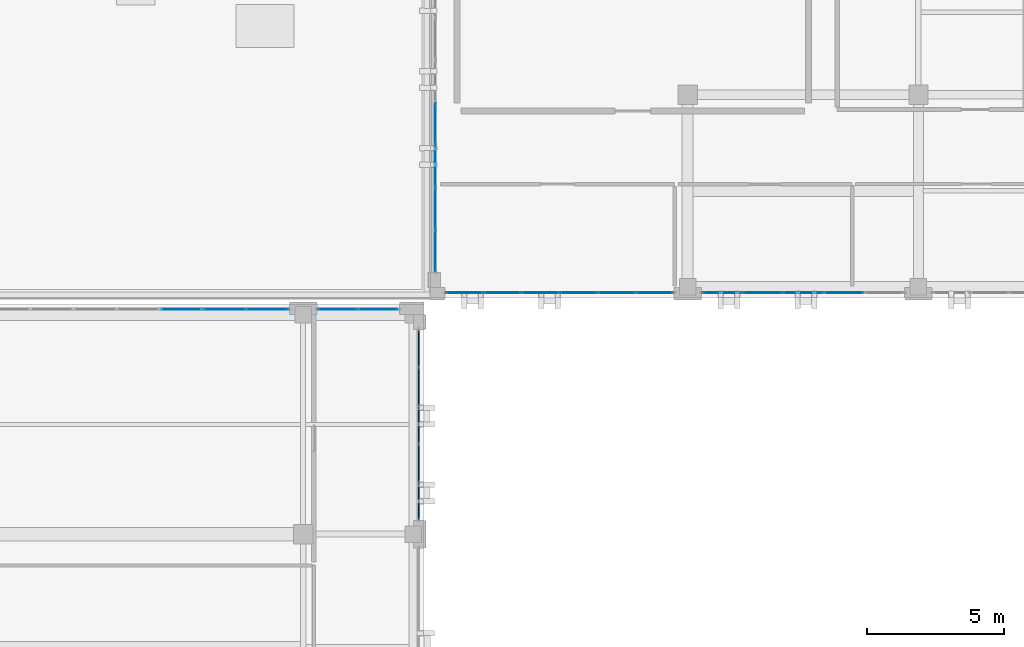
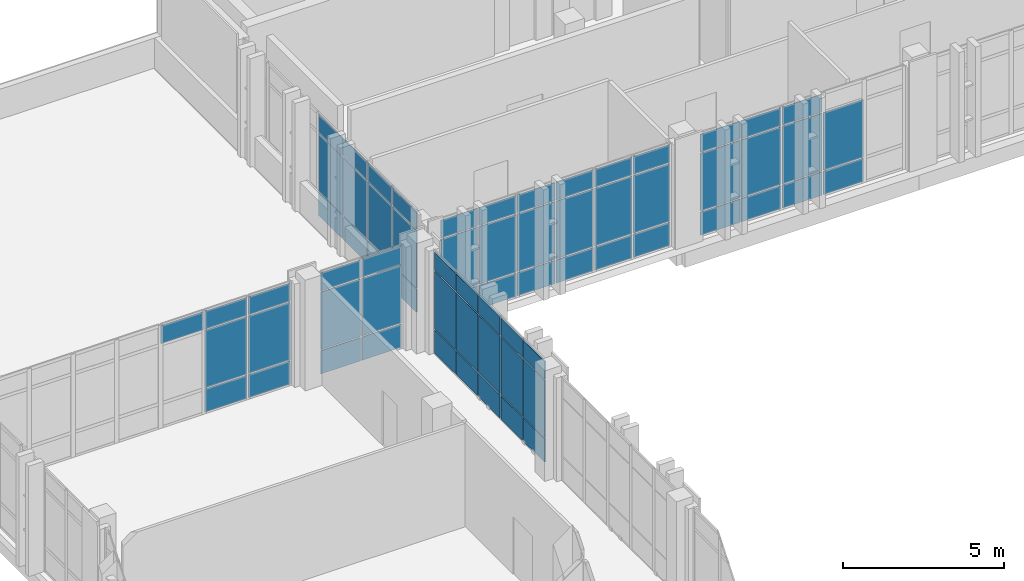
# One storey, part 63 of 90: 69 plates, 6 elements without a shape of their own.
"""IFC4 building model written with IfcOpenShell, lengths in metres."""

from ifc_helpers import new_model, si_unit, direction, frame, origin, origin_2d, place, context, subcontext, project, spatial, rectangle, extrude, material, layer, layer_set, type_object, element, aggregate, save


model = new_model("IFC4")

# Units and contexts
model_context = context("Model", 3, precision=1e-05, world=origin(), true_north=direction((0.0, 1.0)))
body_context = subcontext(model_context, "Body", "Model", "MODEL_VIEW")
ifc_project = project(units=[si_unit("LENGTHUNIT", "METRE"), si_unit("AREAUNIT", "SQUARE_METRE"), si_unit("VOLUMEUNIT", "CUBIC_METRE"), si_unit("PLANEANGLEUNIT", "RADIAN"), si_unit("MASSUNIT", "GRAM", prefix="KILO")], contexts=[model_context])

# Site, building, storey
site_placement = place(None, origin())
site = spatial("IfcSite", under=ifc_project, at=site_placement, CompositionType="ELEMENT")
building_placement = place(site_placement, origin())
building = spatial("IfcBuilding", under=site, at=building_placement, Name="Qalavern Law Courts", CompositionType="ELEMENT")
storey_placement = place(building_placement, frame((0.0, 0.0, 22.800048828125)))
storey = spatial("IfcBuildingStorey", under=building, at=storey_placement, Name="L05", CompositionType="ELEMENT", Elevation=22.800048828125)

# Curtain wall, plates
ifc_material_1 = material(Name="Anodised aluminium and insulated glazing", Category="aluminium")
ifc_layer_1 = layer(ifc_material_1, 0.159912109375)
ifc_layer_set_1 = layer_set([ifc_layer_1], Name="Anodised aluminium and insulated glazing")
curtain_wall_type_1 = type_object("IfcCurtainWallType", Name="ENV-CW-CHAMB", PredefinedType="USERDEFINED", material=ifc_layer_set_1)
curtain_wall_1_placement = place(storey_placement, origin())
curtain_wall_1 = element("IfcCurtainWall", 1, at=curtain_wall_1_placement, inside=storey, type_object=curtain_wall_type_1, Name="V3 unitised curtain wall L05 north 1", ObjectType="UNITISED CURTAIN WALL", PredefinedType="USERDEFINED")
ifc_material_2 = material(Name="Insulated low-E acoustic glazing", Category="glass")
ifc_layer_2 = layer(ifc_material_2, 0.028076171875)
ifc_layer_set_2 = layer_set([ifc_layer_2], Name="Insulated low-E acoustic glazing")
plate_type_1 = type_object("IfcPlateType", Name="ENV-CWP-28", PredefinedType="CURTAIN_PANEL", material=ifc_layer_set_2)
plate_1_placement = place(storey_placement, frame((17.137939453125, 95.78759765625, 0.048095703125), z_axis=(0.0, 0.0, 1.0), x_axis=(-1.0, 0.0, 0.0)))
plate_1 = element("IfcPlate", 2, at=plate_1_placement, type_object=plate_type_1, Name="CW-04 panel 1.1", PredefinedType="CURTAIN_PANEL", context=body_context, shape_type="SweptSolid", body=[
    extrude(rectangle(XDim=1.427978515625, YDim=0.028076171875, at=origin_2d()), origin(), (0.0, 0.0, 1.0), 0.8779296875),
])
plate_2_placement = place(storey_placement, frame((17.137939453125, 95.78759765625, 0.97412109375), z_axis=(0.0, 0.0, 1.0), x_axis=(-1.0, 0.0, 0.0)))
plate_2 = element("IfcPlate", 3, at=plate_2_placement, type_object=plate_type_1, Name="CW-04 panel 1.2", PredefinedType="CURTAIN_PANEL", context=body_context, shape_type="SweptSolid", body=[
    extrude(rectangle(XDim=1.427978515625, YDim=0.028076171875, at=origin_2d()), origin(), (0.0, 0.0, 1.0), 2.181884765625),
])
plate_3_placement = place(storey_placement, frame((17.137939453125, 95.78759765625, 3.2041015625), z_axis=(0.0, 0.0, 1.0), x_axis=(-1.0, 0.0, 0.0)))
plate_3 = element("IfcPlate", 4, at=plate_3_placement, type_object=plate_type_1, Name="CW-04 panel 1.3", PredefinedType="CURTAIN_PANEL", context=body_context, shape_type="SweptSolid", body=[
    extrude(rectangle(XDim=1.427978515625, YDim=0.028076171875, at=origin_2d()), origin(), (0.0, 0.0, 1.0), 0.677978515625),
])
plate_4_placement = place(storey_placement, frame((15.662109375, 95.78759765625, 0.048095703125), z_axis=(0.0, 0.0, 1.0), x_axis=(-1.0, 0.0, 0.0)))
plate_4 = element("IfcPlate", 5, at=plate_4_placement, type_object=plate_type_1, Name="CW-04 panel 2.1", PredefinedType="CURTAIN_PANEL", context=body_context, shape_type="SweptSolid", body=[
    extrude(rectangle(XDim=1.427978515625, YDim=0.028076171875, at=origin_2d()), origin(), (0.0, 0.0, 1.0), 0.8779296875),
])
plate_5_placement = place(storey_placement, frame((15.662109375, 95.78759765625, 0.97412109375), z_axis=(0.0, 0.0, 1.0), x_axis=(-1.0, 0.0, 0.0)))
plate_5 = element("IfcPlate", 6, at=plate_5_placement, type_object=plate_type_1, Name="CW-04 panel 2.2", PredefinedType="CURTAIN_PANEL", context=body_context, shape_type="SweptSolid", body=[
    extrude(rectangle(XDim=1.427978515625, YDim=0.028076171875, at=origin_2d()), origin(), (0.0, 0.0, 1.0), 2.181884765625),
])
plate_6_placement = place(storey_placement, frame((15.662109375, 95.78759765625, 3.2041015625), z_axis=(0.0, 0.0, 1.0), x_axis=(-1.0, 0.0, 0.0)))
plate_6 = element("IfcPlate", 7, at=plate_6_placement, type_object=plate_type_1, Name="CW-04 panel 2.3", PredefinedType="CURTAIN_PANEL", context=body_context, shape_type="SweptSolid", body=[
    extrude(rectangle(XDim=1.427978515625, YDim=0.028076171875, at=origin_2d()), origin(), (0.0, 0.0, 1.0), 0.677978515625),
])
aggregate(curtain_wall_1, [plate_1, plate_2, plate_3, plate_4, plate_5, plate_6])

ifc_layer_3 = layer(ifc_material_1, 0.166015625)
ifc_layer_set_3 = layer_set([ifc_layer_3], Name="Anodised aluminium and insulated glazing")
curtain_wall_type_2 = type_object("IfcCurtainWallType", Name="ENV-CW-LIB", PredefinedType="USERDEFINED", material=ifc_layer_set_3)
curtain_wall_2_placement = place(storey_placement, origin())
curtain_wall_2 = element("IfcCurtainWall", 8, at=curtain_wall_2_placement, inside=storey, type_object=curtain_wall_type_2, Name="V5 unitised curtain wall L05 south 1", ObjectType="UNITISED CURTAIN WALL", PredefinedType="USERDEFINED")
plate_7_placement = place(storey_placement, frame((20.276123046875, 96.392578125, 0.048095703125), z_axis=(0.0, 0.0, 1.0), x_axis=(1.0, 0.0, 0.0)))
plate_7 = element("IfcPlate", 9, at=plate_7_placement, type_object=plate_type_1, Name="CW-05 panel 1.1", PredefinedType="CURTAIN_PANEL", context=body_context, shape_type="SweptSolid", body=[
    extrude(rectangle(XDim=1.31640625, YDim=0.028076171875, at=origin_2d()), origin(), (0.0, 0.0, 1.0), 0.8779296875),
])
plate_8_placement = place(storey_placement, frame((20.276123046875, 96.392578125, 0.97412109375), z_axis=(0.0, 0.0, 1.0), x_axis=(1.0, 0.0, 0.0)))
plate_8 = element("IfcPlate", 10, at=plate_8_placement, type_object=plate_type_1, Name="CW-05 panel 1.2", PredefinedType="CURTAIN_PANEL", context=body_context, shape_type="SweptSolid", body=[
    extrude(rectangle(XDim=1.31640625, YDim=0.028076171875, at=origin_2d()), origin(), (0.0, 0.0, 1.0), 2.181884765625),
])
plate_9_placement = place(storey_placement, frame((20.276123046875, 96.392578125, 3.2041015625), z_axis=(0.0, 0.0, 1.0), x_axis=(1.0, 0.0, 0.0)))
plate_9 = element("IfcPlate", 11, at=plate_9_placement, type_object=plate_type_1, Name="CW-05 panel 1.3", PredefinedType="CURTAIN_PANEL", context=body_context, shape_type="SweptSolid", body=[
    extrude(rectangle(XDim=1.31640625, YDim=0.028076171875, at=origin_2d()), origin(), (0.0, 0.0, 1.0), 0.677978515625),
])
plate_10_placement = place(storey_placement, frame((21.652587890625, 96.392578125, 0.048095703125), z_axis=(0.0, 0.0, 1.0), x_axis=(1.0, 0.0, 0.0)))
plate_10 = element("IfcPlate", 12, at=plate_10_placement, type_object=plate_type_1, Name="CW-05 panel 2.1", PredefinedType="CURTAIN_PANEL", context=body_context, shape_type="SweptSolid", body=[
    extrude(rectangle(XDim=1.34033203125, YDim=0.028076171875, at=origin_2d()), origin(), (0.0, 0.0, 1.0), 0.8779296875),
])
plate_11_placement = place(storey_placement, frame((21.652587890625, 96.392578125, 0.97412109375), z_axis=(0.0, 0.0, 1.0), x_axis=(1.0, 0.0, 0.0)))
plate_11 = element("IfcPlate", 13, at=plate_11_placement, type_object=plate_type_1, Name="CW-05 panel 2.2", PredefinedType="CURTAIN_PANEL", context=body_context, shape_type="SweptSolid", body=[
    extrude(rectangle(XDim=1.34033203125, YDim=0.028076171875, at=origin_2d()), origin(), (0.0, 0.0, 1.0), 2.181884765625),
])
plate_12_placement = place(storey_placement, frame((21.652587890625, 96.392578125, 3.2041015625), z_axis=(0.0, 0.0, 1.0), x_axis=(1.0, 0.0, 0.0)))
plate_12 = element("IfcPlate", 14, at=plate_12_placement, type_object=plate_type_1, Name="CW-05 panel 2.3", PredefinedType="CURTAIN_PANEL", context=body_context, shape_type="SweptSolid", body=[
    extrude(rectangle(XDim=1.34033203125, YDim=0.028076171875, at=origin_2d()), origin(), (0.0, 0.0, 1.0), 0.677978515625),
])
plate_13_placement = place(storey_placement, frame((23.040771484375, 96.392578125, 0.048095703125), z_axis=(0.0, 0.0, 1.0), x_axis=(1.0, 0.0, 0.0)))
plate_13 = element("IfcPlate", 15, at=plate_13_placement, type_object=plate_type_1, Name="CW-05 panel 3.1", PredefinedType="CURTAIN_PANEL", context=body_context, shape_type="SweptSolid", body=[
    extrude(rectangle(XDim=1.34033203125, YDim=0.028076171875, at=origin_2d()), origin(), (0.0, 0.0, 1.0), 0.8779296875),
])
plate_14_placement = place(storey_placement, frame((23.040771484375, 96.392578125, 0.97412109375), z_axis=(0.0, 0.0, 1.0), x_axis=(1.0, 0.0, 0.0)))
plate_14 = element("IfcPlate", 16, at=plate_14_placement, type_object=plate_type_1, Name="CW-05 panel 3.2", PredefinedType="CURTAIN_PANEL", context=body_context, shape_type="SweptSolid", body=[
    extrude(rectangle(XDim=1.34033203125, YDim=0.028076171875, at=origin_2d()), origin(), (0.0, 0.0, 1.0), 2.181884765625),
])
plate_15_placement = place(storey_placement, frame((23.040771484375, 96.392578125, 3.2041015625), z_axis=(0.0, 0.0, 1.0), x_axis=(1.0, 0.0, 0.0)))
plate_15 = element("IfcPlate", 17, at=plate_15_placement, type_object=plate_type_1, Name="CW-05 panel 3.3", PredefinedType="CURTAIN_PANEL", context=body_context, shape_type="SweptSolid", body=[
    extrude(rectangle(XDim=1.34033203125, YDim=0.028076171875, at=origin_2d()), origin(), (0.0, 0.0, 1.0), 0.677978515625),
])
plate_16_placement = place(storey_placement, frame((24.42919921875, 96.392578125, 0.048095703125), z_axis=(0.0, 0.0, 1.0), x_axis=(1.0, 0.0, 0.0)))
plate_16 = element("IfcPlate", 18, at=plate_16_placement, type_object=plate_type_1, Name="CW-05 panel 4.1", PredefinedType="CURTAIN_PANEL", context=body_context, shape_type="SweptSolid", body=[
    extrude(rectangle(XDim=1.34033203125, YDim=0.028076171875, at=origin_2d()), origin(), (0.0, 0.0, 1.0), 0.8779296875),
])
plate_17_placement = place(storey_placement, frame((24.42919921875, 96.392578125, 0.97412109375), z_axis=(0.0, 0.0, 1.0), x_axis=(1.0, 0.0, 0.0)))
plate_17 = element("IfcPlate", 19, at=plate_17_placement, type_object=plate_type_1, Name="CW-05 panel 4.2", PredefinedType="CURTAIN_PANEL", context=body_context, shape_type="SweptSolid", body=[
    extrude(rectangle(XDim=1.34033203125, YDim=0.028076171875, at=origin_2d()), origin(), (0.0, 0.0, 1.0), 2.181884765625),
])
plate_18_placement = place(storey_placement, frame((24.42919921875, 96.392578125, 3.2041015625), z_axis=(0.0, 0.0, 1.0), x_axis=(1.0, 0.0, 0.0)))
plate_18 = element("IfcPlate", 20, at=plate_18_placement, type_object=plate_type_1, Name="CW-05 panel 4.3", PredefinedType="CURTAIN_PANEL", context=body_context, shape_type="SweptSolid", body=[
    extrude(rectangle(XDim=1.34033203125, YDim=0.028076171875, at=origin_2d()), origin(), (0.0, 0.0, 1.0), 0.677978515625),
])
plate_19_placement = place(storey_placement, frame((25.8173828125, 96.392578125, 0.048095703125), z_axis=(0.0, 0.0, 1.0), x_axis=(1.0, 0.0, 0.0)))
plate_19 = element("IfcPlate", 21, at=plate_19_placement, type_object=plate_type_1, Name="CW-05 panel 5.1", PredefinedType="CURTAIN_PANEL", context=body_context, shape_type="SweptSolid", body=[
    extrude(rectangle(XDim=1.34033203125, YDim=0.028076171875, at=origin_2d()), origin(), (0.0, 0.0, 1.0), 0.8779296875),
])
plate_20_placement = place(storey_placement, frame((25.8173828125, 96.392578125, 0.97412109375), z_axis=(0.0, 0.0, 1.0), x_axis=(1.0, 0.0, 0.0)))
plate_20 = element("IfcPlate", 22, at=plate_20_placement, type_object=plate_type_1, Name="CW-05 panel 5.2", PredefinedType="CURTAIN_PANEL", context=body_context, shape_type="SweptSolid", body=[
    extrude(rectangle(XDim=1.34033203125, YDim=0.028076171875, at=origin_2d()), origin(), (0.0, 0.0, 1.0), 2.181884765625),
])
plate_21_placement = place(storey_placement, frame((25.8173828125, 96.392578125, 3.2041015625), z_axis=(0.0, 0.0, 1.0), x_axis=(1.0, 0.0, 0.0)))
plate_21 = element("IfcPlate", 23, at=plate_21_placement, type_object=plate_type_1, Name="CW-05 panel 5.3", PredefinedType="CURTAIN_PANEL", context=body_context, shape_type="SweptSolid", body=[
    extrude(rectangle(XDim=1.34033203125, YDim=0.028076171875, at=origin_2d()), origin(), (0.0, 0.0, 1.0), 0.677978515625),
])
plate_22_placement = place(storey_placement, frame((27.19384765625, 96.392578125, 0.048095703125), z_axis=(0.0, 0.0, 1.0), x_axis=(1.0, 0.0, 0.0)))
plate_22 = element("IfcPlate", 24, at=plate_22_placement, type_object=plate_type_1, Name="CW-05 panel 6.1", PredefinedType="CURTAIN_PANEL", context=body_context, shape_type="SweptSolid", body=[
    extrude(rectangle(XDim=1.31640625, YDim=0.028076171875, at=origin_2d()), origin(), (0.0, 0.0, 1.0), 0.8779296875),
])
plate_23_placement = place(storey_placement, frame((27.19384765625, 96.392578125, 0.97412109375), z_axis=(0.0, 0.0, 1.0), x_axis=(1.0, 0.0, 0.0)))
plate_23 = element("IfcPlate", 25, at=plate_23_placement, type_object=plate_type_1, Name="CW-05 panel 6.2", PredefinedType="CURTAIN_PANEL", context=body_context, shape_type="SweptSolid", body=[
    extrude(rectangle(XDim=1.31640625, YDim=0.028076171875, at=origin_2d()), origin(), (0.0, 0.0, 1.0), 2.181884765625),
])
plate_24_placement = place(storey_placement, frame((27.19384765625, 96.392578125, 3.2041015625), z_axis=(0.0, 0.0, 1.0), x_axis=(1.0, 0.0, 0.0)))
plate_24 = element("IfcPlate", 26, at=plate_24_placement, type_object=plate_type_1, Name="CW-05 panel 6.3", PredefinedType="CURTAIN_PANEL", context=body_context, shape_type="SweptSolid", body=[
    extrude(rectangle(XDim=1.31640625, YDim=0.028076171875, at=origin_2d()), origin(), (0.0, 0.0, 1.0), 0.677978515625),
])
aggregate(curtain_wall_2, [plate_7, plate_8, plate_9, plate_10, plate_11, plate_12, plate_13, plate_14, plate_15, plate_16, plate_17, plate_18, plate_19, plate_20, plate_21, plate_22, plate_23, plate_24])

curtain_wall_3_placement = place(storey_placement, origin())
curtain_wall_3 = element("IfcCurtainWall", 27, at=curtain_wall_3_placement, inside=storey, type_object=curtain_wall_type_2, Name="V5 unitised curtain wall L05 west 1", ObjectType="UNITISED CURTAIN WALL", PredefinedType="USERDEFINED")
plate_25_placement = place(storey_placement, frame((19.21240234375, 102.5400390625, 0.048095703125), z_axis=(0.0, 0.0, 1.0), x_axis=(0.0, -1.0, 0.0)))
plate_25 = element("IfcPlate", 28, at=plate_25_placement, type_object=plate_type_1, Name="CW-05 panel 4.1", PredefinedType="CURTAIN_PANEL", context=body_context, shape_type="SweptSolid", body=[
    extrude(rectangle(XDim=1.497802734375, YDim=0.028076171875, at=origin_2d()), origin(), (0.0, 0.0, 1.0), 0.8779296875),
])
plate_26_placement = place(storey_placement, frame((19.21240234375, 102.5400390625, 0.97412109375), z_axis=(0.0, 0.0, 1.0), x_axis=(0.0, -1.0, 0.0)))
plate_26 = element("IfcPlate", 29, at=plate_26_placement, type_object=plate_type_1, Name="CW-05 panel 4.2", PredefinedType="CURTAIN_PANEL", context=body_context, shape_type="SweptSolid", body=[
    extrude(rectangle(XDim=1.497802734375, YDim=0.028076171875, at=origin_2d()), origin(), (0.0, 0.0, 1.0), 2.181884765625),
])
plate_27_placement = place(storey_placement, frame((19.21240234375, 102.5400390625, 3.2041015625), z_axis=(0.0, 0.0, 1.0), x_axis=(0.0, -1.0, 0.0)))
plate_27 = element("IfcPlate", 30, at=plate_27_placement, type_object=plate_type_1, Name="CW-05 panel 4.3", PredefinedType="CURTAIN_PANEL", context=body_context, shape_type="SweptSolid", body=[
    extrude(rectangle(XDim=1.497802734375, YDim=0.028076171875, at=origin_2d()), origin(), (0.0, 0.0, 1.0), 0.677978515625),
])
plate_28_placement = place(storey_placement, frame((19.21240234375, 100.994384765625, 0.048095703125), z_axis=(0.0, 0.0, 1.0), x_axis=(0.0, -1.0, 0.0)))
plate_28 = element("IfcPlate", 31, at=plate_28_placement, type_object=plate_type_1, Name="CW-05 panel 5.1", PredefinedType="CURTAIN_PANEL", context=body_context, shape_type="SweptSolid", body=[
    extrude(rectangle(XDim=1.497802734375, YDim=0.028076171875, at=origin_2d()), origin(), (0.0, 0.0, 1.0), 0.8779296875),
])
plate_29_placement = place(storey_placement, frame((19.21240234375, 100.994384765625, 0.97412109375), z_axis=(0.0, 0.0, 1.0), x_axis=(0.0, -1.0, 0.0)))
plate_29 = element("IfcPlate", 32, at=plate_29_placement, type_object=plate_type_1, Name="CW-05 panel 5.2", PredefinedType="CURTAIN_PANEL", context=body_context, shape_type="SweptSolid", body=[
    extrude(rectangle(XDim=1.497802734375, YDim=0.028076171875, at=origin_2d()), origin(), (0.0, 0.0, 1.0), 2.181884765625),
])
plate_30_placement = place(storey_placement, frame((19.21240234375, 100.994384765625, 3.2041015625), z_axis=(0.0, 0.0, 1.0), x_axis=(0.0, -1.0, 0.0)))
plate_30 = element("IfcPlate", 33, at=plate_30_placement, type_object=plate_type_1, Name="CW-05 panel 5.3", PredefinedType="CURTAIN_PANEL", context=body_context, shape_type="SweptSolid", body=[
    extrude(rectangle(XDim=1.497802734375, YDim=0.028076171875, at=origin_2d()), origin(), (0.0, 0.0, 1.0), 0.677978515625),
])
plate_31_placement = place(storey_placement, frame((19.21240234375, 99.448486328125, 0.048095703125), z_axis=(0.0, 0.0, 1.0), x_axis=(0.0, -1.0, 0.0)))
plate_31 = element("IfcPlate", 34, at=plate_31_placement, type_object=plate_type_1, Name="CW-05 panel 6.1", PredefinedType="CURTAIN_PANEL", context=body_context, shape_type="SweptSolid", body=[
    extrude(rectangle(XDim=1.497802734375, YDim=0.028076171875, at=origin_2d()), origin(), (0.0, 0.0, 1.0), 0.8779296875),
])
plate_32_placement = place(storey_placement, frame((19.21240234375, 99.448486328125, 0.97412109375), z_axis=(0.0, 0.0, 1.0), x_axis=(0.0, -1.0, 0.0)))
plate_32 = element("IfcPlate", 35, at=plate_32_placement, type_object=plate_type_1, Name="CW-05 panel 6.2", PredefinedType="CURTAIN_PANEL", context=body_context, shape_type="SweptSolid", body=[
    extrude(rectangle(XDim=1.497802734375, YDim=0.028076171875, at=origin_2d()), origin(), (0.0, 0.0, 1.0), 2.181884765625),
])
plate_33_placement = place(storey_placement, frame((19.21240234375, 99.448486328125, 3.2041015625), z_axis=(0.0, 0.0, 1.0), x_axis=(0.0, -1.0, 0.0)))
plate_33 = element("IfcPlate", 36, at=plate_33_placement, type_object=plate_type_1, Name="CW-05 panel 6.3", PredefinedType="CURTAIN_PANEL", context=body_context, shape_type="SweptSolid", body=[
    extrude(rectangle(XDim=1.497802734375, YDim=0.028076171875, at=origin_2d()), origin(), (0.0, 0.0, 1.0), 0.677978515625),
])
plate_34_placement = place(storey_placement, frame((19.21240234375, 97.914794921875, 0.048095703125), z_axis=(0.0, 0.0, 1.0), x_axis=(0.0, -1.0, 0.0)))
plate_34 = element("IfcPlate", 37, at=plate_34_placement, type_object=plate_type_1, Name="CW-05 panel 7.1", PredefinedType="CURTAIN_PANEL", context=body_context, shape_type="SweptSolid", body=[
    extrude(rectangle(XDim=1.4736328125, YDim=0.028076171875, at=origin_2d()), origin(), (0.0, 0.0, 1.0), 0.8779296875),
])
plate_35_placement = place(storey_placement, frame((19.21240234375, 97.914794921875, 0.97412109375), z_axis=(0.0, 0.0, 1.0), x_axis=(0.0, -1.0, 0.0)))
plate_35 = element("IfcPlate", 38, at=plate_35_placement, type_object=plate_type_1, Name="CW-05 panel 7.2", PredefinedType="CURTAIN_PANEL", context=body_context, shape_type="SweptSolid", body=[
    extrude(rectangle(XDim=1.4736328125, YDim=0.028076171875, at=origin_2d()), origin(), (0.0, 0.0, 1.0), 2.181884765625),
])
plate_36_placement = place(storey_placement, frame((19.21240234375, 97.914794921875, 3.2041015625), z_axis=(0.0, 0.0, 1.0), x_axis=(0.0, -1.0, 0.0)))
plate_36 = element("IfcPlate", 39, at=plate_36_placement, type_object=plate_type_1, Name="CW-05 panel 7.3", PredefinedType="CURTAIN_PANEL", context=body_context, shape_type="SweptSolid", body=[
    extrude(rectangle(XDim=1.4736328125, YDim=0.028076171875, at=origin_2d()), origin(), (0.0, 0.0, 1.0), 0.677978515625),
])
aggregate(curtain_wall_3, [plate_25, plate_26, plate_27, plate_28, plate_29, plate_30, plate_31, plate_32, plate_33, plate_34, plate_35, plate_36])

curtain_wall_4_placement = place(storey_placement, origin())
curtain_wall_4 = element("IfcCurtainWall", 40, at=curtain_wall_4_placement, inside=storey, type_object=curtain_wall_type_1, Name="V3 unitised curtain wall L05 north 2", ObjectType="UNITISED CURTAIN WALL", PredefinedType="USERDEFINED")
ifc_layer_4 = layer(ifc_material_2, 0.031982421875)
ifc_layer_set_4 = layer_set([ifc_layer_4], Name="Insulated low-E acoustic glazing")
plate_type_2 = type_object("IfcPlateType", Name="ENV-CWP-32", PredefinedType="CURTAIN_PANEL", material=ifc_layer_set_4)
plate_37_placement = place(storey_placement, frame((13.102294921875, 95.78759765625, 0.048095703125), z_axis=(0.0, 0.0, 1.0), x_axis=(-1.0, 0.0, 0.0)))
plate_37 = element("IfcPlate", 41, at=plate_37_placement, type_object=plate_type_2, Name="CW-04 panel 1.1", PredefinedType="CURTAIN_PANEL", context=body_context, shape_type="SweptSolid", body=[
    extrude(rectangle(XDim=1.49951171875, YDim=0.031982421875, at=origin_2d()), origin(), (0.0, 0.0, 1.0), 0.8779296875),
])
plate_38_placement = place(storey_placement, frame((13.102294921875, 95.78759765625, 0.97412109375), z_axis=(0.0, 0.0, 1.0), x_axis=(-1.0, 0.0, 0.0)))
plate_38 = element("IfcPlate", 42, at=plate_38_placement, type_object=plate_type_2, Name="CW-04 panel 1.2", PredefinedType="CURTAIN_PANEL", context=body_context, shape_type="SweptSolid", body=[
    extrude(rectangle(XDim=1.49951171875, YDim=0.031982421875, at=origin_2d()), origin(), (0.0, 0.0, 1.0), 2.181884765625),
])
plate_39_placement = place(storey_placement, frame((13.102294921875, 95.78759765625, 3.2041015625), z_axis=(0.0, 0.0, 1.0), x_axis=(-1.0, 0.0, 0.0)))
plate_39 = element("IfcPlate", 43, at=plate_39_placement, type_object=plate_type_2, Name="CW-04 panel 1.3", PredefinedType="CURTAIN_PANEL", context=body_context, shape_type="SweptSolid", body=[
    extrude(rectangle(XDim=1.49951171875, YDim=0.031982421875, at=origin_2d()), origin(), (0.0, 0.0, 1.0), 0.677978515625),
])
plate_40_placement = place(storey_placement, frame((11.54296875, 95.78759765625, 0.048095703125), z_axis=(0.0, 0.0, 1.0), x_axis=(-1.0, 0.0, 0.0)))
plate_40 = element("IfcPlate", 44, at=plate_40_placement, type_object=plate_type_2, Name="CW-04 panel 2.1", PredefinedType="CURTAIN_PANEL", context=body_context, shape_type="SweptSolid", body=[
    extrude(rectangle(XDim=1.5234375, YDim=0.031982421875, at=origin_2d()), origin(), (0.0, 0.0, 1.0), 0.8779296875),
])
plate_41_placement = place(storey_placement, frame((11.54296875, 95.78759765625, 0.97412109375), z_axis=(0.0, 0.0, 1.0), x_axis=(-1.0, 0.0, 0.0)))
plate_41 = element("IfcPlate", 45, at=plate_41_placement, type_object=plate_type_2, Name="CW-04 panel 2.2", PredefinedType="CURTAIN_PANEL", context=body_context, shape_type="SweptSolid", body=[
    extrude(rectangle(XDim=1.5234375, YDim=0.031982421875, at=origin_2d()), origin(), (0.0, 0.0, 1.0), 2.181884765625),
])
plate_42_placement = place(storey_placement, frame((11.54296875, 95.78759765625, 3.2041015625), z_axis=(0.0, 0.0, 1.0), x_axis=(-1.0, 0.0, 0.0)))
plate_42 = element("IfcPlate", 46, at=plate_42_placement, type_object=plate_type_2, Name="CW-04 panel 2.3", PredefinedType="CURTAIN_PANEL", context=body_context, shape_type="SweptSolid", body=[
    extrude(rectangle(XDim=1.5234375, YDim=0.031982421875, at=origin_2d()), origin(), (0.0, 0.0, 1.0), 0.677978515625),
])
plate_43_placement = place(storey_placement, frame((9.971435546875, 95.78759765625, 3.2041015625), z_axis=(0.0, 0.0, 1.0), x_axis=(-1.0, 0.0, 0.0)))
plate_43 = element("IfcPlate", 47, at=plate_43_placement, type_object=plate_type_2, Name="CW-04 panel 3.3", PredefinedType="CURTAIN_PANEL", context=body_context, shape_type="SweptSolid", body=[
    extrude(rectangle(XDim=1.5234375, YDim=0.031982421875, at=origin_2d()), origin(), (0.0, 0.0, 1.0), 0.677978515625),
])
aggregate(curtain_wall_4, [plate_37, plate_38, plate_39, plate_40, plate_41, plate_42, plate_43])

curtain_wall_5_placement = place(storey_placement, origin())
curtain_wall_5 = element("IfcCurtainWall", 48, at=curtain_wall_5_placement, inside=storey, type_object=curtain_wall_type_2, Name="V5 unitised curtain wall L05 south 2", ObjectType="UNITISED CURTAIN WALL", PredefinedType="USERDEFINED")
plate_44_placement = place(storey_placement, frame((29.652099609375, 96.392578125, 0.048095703125), z_axis=(0.0, 0.0, 1.0), x_axis=(1.0, 0.0, 0.0)))
plate_44 = element("IfcPlate", 49, at=plate_44_placement, type_object=plate_type_2, Name="CW-05 panel 1.1", PredefinedType="CURTAIN_PANEL", context=body_context, shape_type="SweptSolid", body=[
    extrude(rectangle(XDim=1.407958984375, YDim=0.031982421875, at=origin_2d()), origin(), (0.0, 0.0, 1.0), 0.8779296875),
])
plate_45_placement = place(storey_placement, frame((29.652099609375, 96.392578125, 0.97412109375), z_axis=(0.0, 0.0, 1.0), x_axis=(1.0, 0.0, 0.0)))
plate_45 = element("IfcPlate", 50, at=plate_45_placement, type_object=plate_type_2, Name="CW-05 panel 1.2", PredefinedType="CURTAIN_PANEL", context=body_context, shape_type="SweptSolid", body=[
    extrude(rectangle(XDim=1.407958984375, YDim=0.031982421875, at=origin_2d()), origin(), (0.0, 0.0, 1.0), 2.181884765625),
])
plate_46_placement = place(storey_placement, frame((29.652099609375, 96.392578125, 3.2041015625), z_axis=(0.0, 0.0, 1.0), x_axis=(1.0, 0.0, 0.0)))
plate_46 = element("IfcPlate", 51, at=plate_46_placement, type_object=plate_type_2, Name="CW-05 panel 1.3", PredefinedType="CURTAIN_PANEL", context=body_context, shape_type="SweptSolid", body=[
    extrude(rectangle(XDim=1.407958984375, YDim=0.031982421875, at=origin_2d()), origin(), (0.0, 0.0, 1.0), 0.677978515625),
])
plate_47_placement = place(storey_placement, frame((31.1201171875, 96.392578125, 0.048095703125), z_axis=(0.0, 0.0, 1.0), x_axis=(1.0, 0.0, 0.0)))
plate_47 = element("IfcPlate", 52, at=plate_47_placement, type_object=plate_type_2, Name="CW-05 panel 2.1", PredefinedType="CURTAIN_PANEL", context=body_context, shape_type="SweptSolid", body=[
    extrude(rectangle(XDim=1.431884765625, YDim=0.031982421875, at=origin_2d()), origin(), (0.0, 0.0, 1.0), 0.8779296875),
])
plate_48_placement = place(storey_placement, frame((31.1201171875, 96.392578125, 0.97412109375), z_axis=(0.0, 0.0, 1.0), x_axis=(1.0, 0.0, 0.0)))
plate_48 = element("IfcPlate", 53, at=plate_48_placement, type_object=plate_type_2, Name="CW-05 panel 2.2", PredefinedType="CURTAIN_PANEL", context=body_context, shape_type="SweptSolid", body=[
    extrude(rectangle(XDim=1.431884765625, YDim=0.031982421875, at=origin_2d()), origin(), (0.0, 0.0, 1.0), 2.181884765625),
])
plate_49_placement = place(storey_placement, frame((31.1201171875, 96.392578125, 3.2041015625), z_axis=(0.0, 0.0, 1.0), x_axis=(1.0, 0.0, 0.0)))
plate_49 = element("IfcPlate", 54, at=plate_49_placement, type_object=plate_type_2, Name="CW-05 panel 2.3", PredefinedType="CURTAIN_PANEL", context=body_context, shape_type="SweptSolid", body=[
    extrude(rectangle(XDim=1.431884765625, YDim=0.031982421875, at=origin_2d()), origin(), (0.0, 0.0, 1.0), 0.677978515625),
])
plate_50_placement = place(storey_placement, frame((32.60009765625, 96.392578125, 0.048095703125), z_axis=(0.0, 0.0, 1.0), x_axis=(1.0, 0.0, 0.0)))
plate_50 = element("IfcPlate", 55, at=plate_50_placement, type_object=plate_type_2, Name="CW-05 panel 3.1", PredefinedType="CURTAIN_PANEL", context=body_context, shape_type="SweptSolid", body=[
    extrude(rectangle(XDim=1.431884765625, YDim=0.031982421875, at=origin_2d()), origin(), (0.0, 0.0, 1.0), 0.8779296875),
])
plate_51_placement = place(storey_placement, frame((32.60009765625, 96.392578125, 0.97412109375), z_axis=(0.0, 0.0, 1.0), x_axis=(1.0, 0.0, 0.0)))
plate_51 = element("IfcPlate", 56, at=plate_51_placement, type_object=plate_type_2, Name="CW-05 panel 3.2", PredefinedType="CURTAIN_PANEL", context=body_context, shape_type="SweptSolid", body=[
    extrude(rectangle(XDim=1.431884765625, YDim=0.031982421875, at=origin_2d()), origin(), (0.0, 0.0, 1.0), 2.181884765625),
])
plate_52_placement = place(storey_placement, frame((32.60009765625, 96.392578125, 3.2041015625), z_axis=(0.0, 0.0, 1.0), x_axis=(1.0, 0.0, 0.0)))
plate_52 = element("IfcPlate", 57, at=plate_52_placement, type_object=plate_type_2, Name="CW-05 panel 3.3", PredefinedType="CURTAIN_PANEL", context=body_context, shape_type="SweptSolid", body=[
    extrude(rectangle(XDim=1.431884765625, YDim=0.031982421875, at=origin_2d()), origin(), (0.0, 0.0, 1.0), 0.677978515625),
])
plate_53_placement = place(storey_placement, frame((34.080078125, 96.392578125, 0.048095703125), z_axis=(0.0, 0.0, 1.0), x_axis=(1.0, 0.0, 0.0)))
plate_53 = element("IfcPlate", 58, at=plate_53_placement, type_object=plate_type_2, Name="CW-05 panel 4.1", PredefinedType="CURTAIN_PANEL", context=body_context, shape_type="SweptSolid", body=[
    extrude(rectangle(XDim=1.431884765625, YDim=0.031982421875, at=origin_2d()), origin(), (0.0, 0.0, 1.0), 0.8779296875),
])
plate_54_placement = place(storey_placement, frame((34.080078125, 96.392578125, 0.97412109375), z_axis=(0.0, 0.0, 1.0), x_axis=(1.0, 0.0, 0.0)))
plate_54 = element("IfcPlate", 59, at=plate_54_placement, type_object=plate_type_2, Name="CW-05 panel 4.2", PredefinedType="CURTAIN_PANEL", context=body_context, shape_type="SweptSolid", body=[
    extrude(rectangle(XDim=1.431884765625, YDim=0.031982421875, at=origin_2d()), origin(), (0.0, 0.0, 1.0), 2.181884765625),
])
aggregate(curtain_wall_5, [plate_44, plate_45, plate_46, plate_47, plate_48, plate_49, plate_50, plate_51, plate_52, plate_53, plate_54])

curtain_wall_6_placement = place(storey_placement, origin())
curtain_wall_6 = element("IfcCurtainWall", 60, at=curtain_wall_6_placement, inside=storey, type_object=curtain_wall_type_1, Name="V3 unitised curtain wall L05 east 7", ObjectType="UNITISED CURTAIN WALL", PredefinedType="USERDEFINED")
ifc_layer_5 = layer(ifc_material_2, 0.052001953125)
ifc_layer_set_5 = layer_set([ifc_layer_5], Name="Insulated low-E acoustic glazing")
plate_type_3 = type_object("IfcPlateType", Name="ENV-CWP-52", PredefinedType="CURTAIN_PANEL", material=ifc_layer_set_5)
plate_55_placement = place(storey_placement, frame((18.607421875, 88.806884765625, 0.048095703125), z_axis=(0.0, 0.0, 1.0), x_axis=(0.0, 1.0, 0.0)))
plate_55 = element("IfcPlate", 61, at=plate_55_placement, type_object=plate_type_3, Name="CW-04 panel 1.1", PredefinedType="CURTAIN_PANEL", context=body_context, shape_type="SweptSolid", body=[
    extrude(rectangle(XDim=1.318115234375, YDim=0.052001953125, at=origin_2d()), origin(), (0.0, 0.0, 1.0), 0.8779296875),
])
plate_56_placement = place(storey_placement, frame((18.607421875, 88.806884765625, 0.97412109375), z_axis=(0.0, 0.0, 1.0), x_axis=(0.0, 1.0, 0.0)))
plate_56 = element("IfcPlate", 62, at=plate_56_placement, type_object=plate_type_3, Name="CW-04 panel 1.2", PredefinedType="CURTAIN_PANEL", context=body_context, shape_type="SweptSolid", body=[
    extrude(rectangle(XDim=1.318115234375, YDim=0.052001953125, at=origin_2d()), origin(), (0.0, 0.0, 1.0), 2.181884765625),
])
plate_57_placement = place(storey_placement, frame((18.607421875, 88.806884765625, 3.2041015625), z_axis=(0.0, 0.0, 1.0), x_axis=(0.0, 1.0, 0.0)))
plate_57 = element("IfcPlate", 63, at=plate_57_placement, type_object=plate_type_3, Name="CW-04 panel 1.3", PredefinedType="CURTAIN_PANEL", context=body_context, shape_type="SweptSolid", body=[
    extrude(rectangle(XDim=1.318115234375, YDim=0.052001953125, at=origin_2d()), origin(), (0.0, 0.0, 1.0), 0.677978515625),
])
plate_58_placement = place(storey_placement, frame((18.607421875, 90.18505859375, 0.048095703125), z_axis=(0.0, 0.0, 1.0), x_axis=(0.0, 1.0, 0.0)))
plate_58 = element("IfcPlate", 64, at=plate_58_placement, type_object=plate_type_3, Name="CW-04 panel 2.1", PredefinedType="CURTAIN_PANEL", context=body_context, shape_type="SweptSolid", body=[
    extrude(rectangle(XDim=1.342041015625, YDim=0.052001953125, at=origin_2d()), origin(), (0.0, 0.0, 1.0), 0.8779296875),
])
plate_59_placement = place(storey_placement, frame((18.607421875, 90.18505859375, 0.97412109375), z_axis=(0.0, 0.0, 1.0), x_axis=(0.0, 1.0, 0.0)))
plate_59 = element("IfcPlate", 65, at=plate_59_placement, type_object=plate_type_3, Name="CW-04 panel 2.2", PredefinedType="CURTAIN_PANEL", context=body_context, shape_type="SweptSolid", body=[
    extrude(rectangle(XDim=1.342041015625, YDim=0.052001953125, at=origin_2d()), origin(), (0.0, 0.0, 1.0), 2.181884765625),
])
plate_60_placement = place(storey_placement, frame((18.607421875, 90.18505859375, 3.2041015625), z_axis=(0.0, 0.0, 1.0), x_axis=(0.0, 1.0, 0.0)))
plate_60 = element("IfcPlate", 66, at=plate_60_placement, type_object=plate_type_3, Name="CW-04 panel 2.3", PredefinedType="CURTAIN_PANEL", context=body_context, shape_type="SweptSolid", body=[
    extrude(rectangle(XDim=1.342041015625, YDim=0.052001953125, at=origin_2d()), origin(), (0.0, 0.0, 1.0), 0.677978515625),
])
plate_61_placement = place(storey_placement, frame((18.607421875, 91.574951171875, 0.048095703125), z_axis=(0.0, 0.0, 1.0), x_axis=(0.0, 1.0, 0.0)))
plate_61 = element("IfcPlate", 67, at=plate_61_placement, type_object=plate_type_3, Name="CW-04 panel 3.1", PredefinedType="CURTAIN_PANEL", context=body_context, shape_type="SweptSolid", body=[
    extrude(rectangle(XDim=1.342041015625, YDim=0.052001953125, at=origin_2d()), origin(), (0.0, 0.0, 1.0), 0.8779296875),
])
plate_62_placement = place(storey_placement, frame((18.607421875, 91.574951171875, 0.97412109375), z_axis=(0.0, 0.0, 1.0), x_axis=(0.0, 1.0, 0.0)))
plate_62 = element("IfcPlate", 68, at=plate_62_placement, type_object=plate_type_3, Name="CW-04 panel 3.2", PredefinedType="CURTAIN_PANEL", context=body_context, shape_type="SweptSolid", body=[
    extrude(rectangle(XDim=1.342041015625, YDim=0.052001953125, at=origin_2d()), origin(), (0.0, 0.0, 1.0), 2.181884765625),
])
plate_63_placement = place(storey_placement, frame((18.607421875, 91.574951171875, 3.2041015625), z_axis=(0.0, 0.0, 1.0), x_axis=(0.0, 1.0, 0.0)))
plate_63 = element("IfcPlate", 69, at=plate_63_placement, type_object=plate_type_3, Name="CW-04 panel 3.3", PredefinedType="CURTAIN_PANEL", context=body_context, shape_type="SweptSolid", body=[
    extrude(rectangle(XDim=1.342041015625, YDim=0.052001953125, at=origin_2d()), origin(), (0.0, 0.0, 1.0), 0.677978515625),
])
plate_64_placement = place(storey_placement, frame((18.607421875, 92.965087890625, 0.048095703125), z_axis=(0.0, 0.0, 1.0), x_axis=(0.0, 1.0, 0.0)))
plate_64 = element("IfcPlate", 70, at=plate_64_placement, type_object=plate_type_3, Name="CW-04 panel 4.1", PredefinedType="CURTAIN_PANEL", context=body_context, shape_type="SweptSolid", body=[
    extrude(rectangle(XDim=1.342041015625, YDim=0.052001953125, at=origin_2d()), origin(), (0.0, 0.0, 1.0), 0.8779296875),
])
plate_65_placement = place(storey_placement, frame((18.607421875, 92.965087890625, 0.97412109375), z_axis=(0.0, 0.0, 1.0), x_axis=(0.0, 1.0, 0.0)))
plate_65 = element("IfcPlate", 71, at=plate_65_placement, type_object=plate_type_3, Name="CW-04 panel 4.2", PredefinedType="CURTAIN_PANEL", context=body_context, shape_type="SweptSolid", body=[
    extrude(rectangle(XDim=1.342041015625, YDim=0.052001953125, at=origin_2d()), origin(), (0.0, 0.0, 1.0), 2.181884765625),
])
plate_66_placement = place(storey_placement, frame((18.607421875, 92.965087890625, 3.2041015625), z_axis=(0.0, 0.0, 1.0), x_axis=(0.0, 1.0, 0.0)))
plate_66 = element("IfcPlate", 72, at=plate_66_placement, type_object=plate_type_3, Name="CW-04 panel 4.3", PredefinedType="CURTAIN_PANEL", context=body_context, shape_type="SweptSolid", body=[
    extrude(rectangle(XDim=1.342041015625, YDim=0.052001953125, at=origin_2d()), origin(), (0.0, 0.0, 1.0), 0.677978515625),
])
plate_67_placement = place(storey_placement, frame((18.607421875, 94.343017578125, 0.048095703125), z_axis=(0.0, 0.0, 1.0), x_axis=(0.0, 1.0, 0.0)))
plate_67 = element("IfcPlate", 73, at=plate_67_placement, type_object=plate_type_3, Name="CW-04 panel 5.1", PredefinedType="CURTAIN_PANEL", context=body_context, shape_type="SweptSolid", body=[
    extrude(rectangle(XDim=1.318115234375, YDim=0.052001953125, at=origin_2d()), origin(), (0.0, 0.0, 1.0), 0.8779296875),
])
plate_68_placement = place(storey_placement, frame((18.607421875, 94.343017578125, 0.97412109375), z_axis=(0.0, 0.0, 1.0), x_axis=(0.0, 1.0, 0.0)))
plate_68 = element("IfcPlate", 74, at=plate_68_placement, type_object=plate_type_3, Name="CW-04 panel 5.2", PredefinedType="CURTAIN_PANEL", context=body_context, shape_type="SweptSolid", body=[
    extrude(rectangle(XDim=1.318115234375, YDim=0.052001953125, at=origin_2d()), origin(), (0.0, 0.0, 1.0), 2.181884765625),
])
plate_69_placement = place(storey_placement, frame((18.607421875, 94.343017578125, 3.2041015625), z_axis=(0.0, 0.0, 1.0), x_axis=(0.0, 1.0, 0.0)))
plate_69 = element("IfcPlate", 75, at=plate_69_placement, type_object=plate_type_3, Name="CW-04 panel 5.3", PredefinedType="CURTAIN_PANEL", context=body_context, shape_type="SweptSolid", body=[
    extrude(rectangle(XDim=1.318115234375, YDim=0.052001953125, at=origin_2d()), origin(), (0.0, 0.0, 1.0), 0.677978515625),
])
aggregate(curtain_wall_6, [plate_55, plate_56, plate_57, plate_58, plate_59, plate_60, plate_61, plate_62, plate_63, plate_64, plate_65, plate_66, plate_67, plate_68, plate_69])

save(model, "model.ifc")
